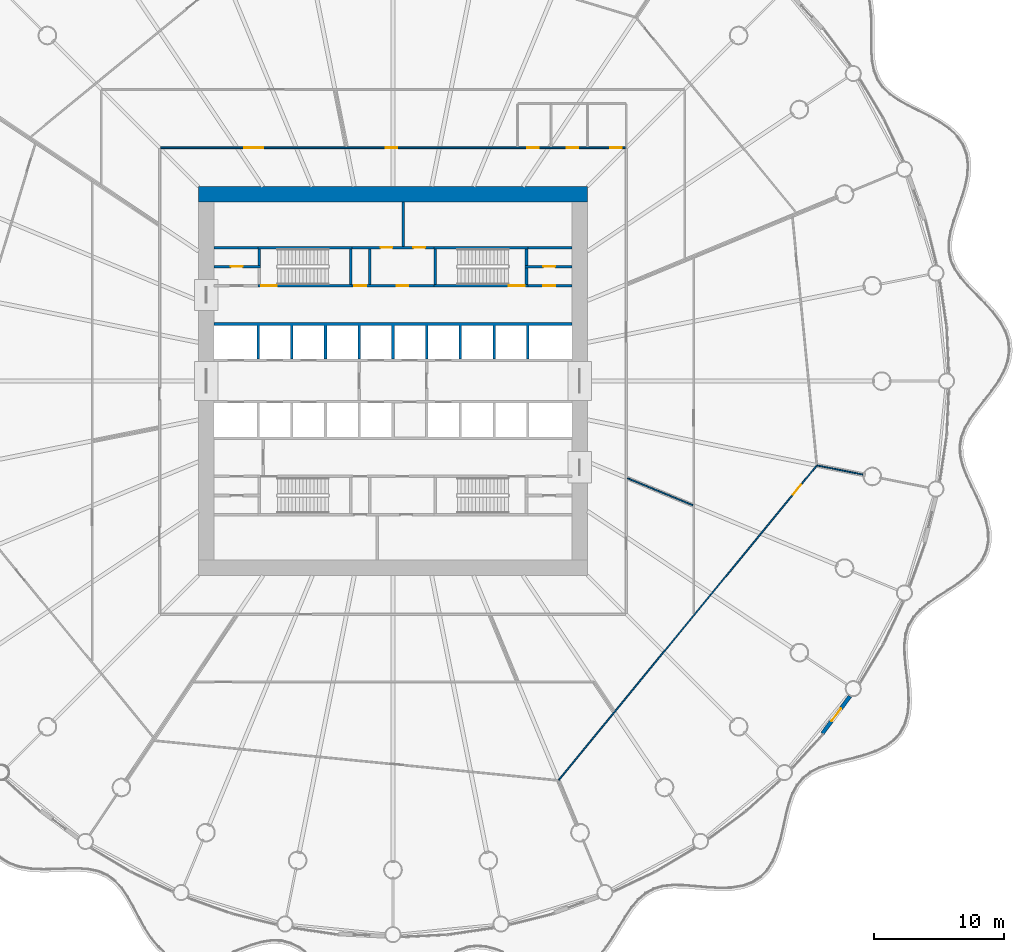
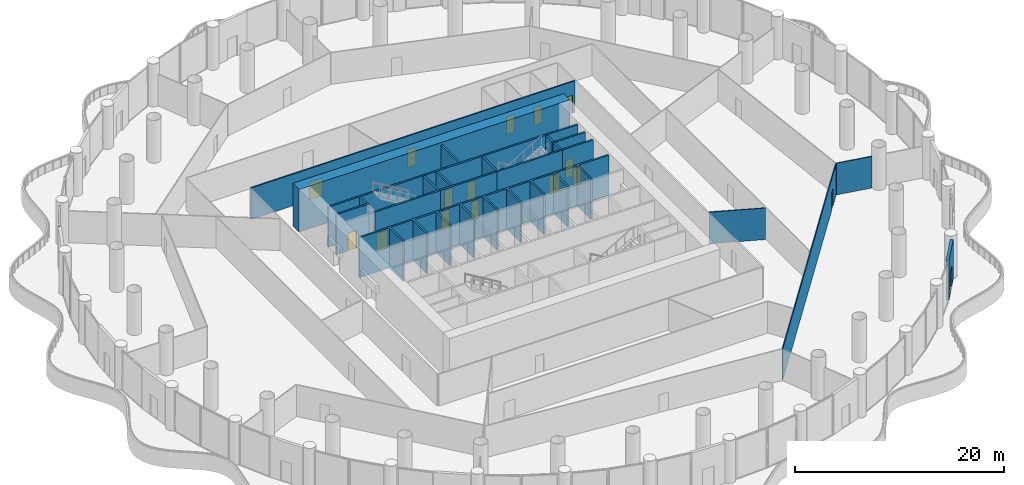
# One storey, part 27 of 38: 25 walls, 16 doors, 16 openings.
"""IFC4 building model written with IfcOpenShell, lengths in metres."""

from ifc_helpers import new_model, si_unit, direction, frame, frame_2d, origin, place, context, subcontext, project, spatial, polyline, rectangle, outline, extrude, material, layer, layer_set, type_object, element, fill, save


model = new_model("IFC4")

# Units and contexts
model_context = context("Model", 3, precision=1e-05, world=origin(), true_north=direction((0.0, 1.0)))
body_context = subcontext(model_context, "Body", "Model", "MODEL_VIEW")
ifc_project = project(units=[si_unit("LENGTHUNIT", "METRE"), si_unit("AREAUNIT", "SQUARE_METRE"), si_unit("VOLUMEUNIT", "CUBIC_METRE"), si_unit("PLANEANGLEUNIT", "RADIAN"), si_unit("MASSUNIT", "GRAM", prefix="KILO")], contexts=[model_context])

# Site, building, storey
site_placement = place(None, origin())
site = spatial("IfcSite", under=ifc_project, at=site_placement, CompositionType="ELEMENT")
building_placement = place(site_placement, origin())
building = spatial("IfcBuilding", under=site, at=building_placement, Name="Corvane Civic Tower", CompositionType="ELEMENT")
storey_placement = place(building_placement, frame((0.0, 0.0, 32.0)))
storey = spatial("IfcBuildingStorey", under=building, at=storey_placement, Name="L06", CompositionType="ELEMENT", Elevation=32.0)

# Wall
ifc_material_1 = material(Name="Concrete C80/95", Category="concrete")
ifc_layer_1 = layer(ifc_material_1, 1.199951171875)
ifc_layer_set_1 = layer_set([ifc_layer_1], Name="Concrete C80/95")
wall_type_1 = type_object("IfcWallType", Name="CORE WALL 1200 C80/95", PredefinedType="SHEAR", material=ifc_layer_set_1)
wall_1_placement = place(storey_placement, frame((-15.0, 14.39990234375, 0.0), z_axis=(0.0, 0.0, 1.0), x_axis=(1.0, 0.0, 0.0)))
element("IfcWall", 1, at=wall_1_placement, inside=storey, type_object=wall_type_1, Name="W-L06-core-N", PredefinedType="SHEAR", context=body_context, shape_type="SweptSolid", body=[
    extrude(rectangle(XDim=30.0, YDim=1.199951171875, at=frame_2d((15.0, 0.0))), origin(), (0.0, 0.0, 1.0), 5.0),
])

# Wall, openings, doors
ifc_material_2 = material(Name="Concrete C30/37", Category="concrete")
ifc_layer_2 = layer(ifc_material_2, 0.199951171875)
ifc_layer_set_2 = layer_set([ifc_layer_2], Name="Concrete C30/37")
wall_type_2 = type_object("IfcWallType", Name="CR-WALL-200", PredefinedType="PARTITIONING", material=ifc_layer_set_2)
wall_2_placement = place(storey_placement, frame((-3.14990234375, 7.35009765625, 0.0), z_axis=(0.0, 0.0, 1.0), x_axis=(1.0, 0.0, 0.0)))
wall_2 = element("IfcWall", 2, at=wall_2_placement, inside=storey, type_object=wall_type_2, Name="L06 core partition wall", PredefinedType="PARTITIONING", context=body_context, shape_type="SweptSolid", body=[
    extrude(rectangle(XDim=6.2998046875, YDim=0.199951171875, at=frame_2d((3.14990234375, 0.0))), origin(), (0.0, 0.0, 1.0), 4.699951171875),
])
opening_1_placement = place(wall_2_placement, frame((0.175048828125, 0.0, 0.0)))
opening_1 = element("IfcOpeningElement", 3, at=opening_1_placement, cuts=wall_2, Name="Opening L06.C02", PredefinedType="OPENING", context=body_context, shape_type="SweptSolid", body=[
    extrude(rectangle(XDim=0.89990234375, YDim=2.10009765625, at=frame_2d((0.449951171875, 1.050048828125))), frame((0.0, 0.10986328125, 0.0), z_axis=(0.0, -1.0, 0.0), x_axis=(1.0, 0.0, 0.0)), (0.0, 0.0, 1.0), 0.219970703125),
])
opening_2_placement = place(wall_2_placement, frame((3.425048828125, 0.0, 0.0)))
opening_2 = element("IfcOpeningElement", 4, at=opening_2_placement, cuts=wall_2, Name="Opening L06.C03", PredefinedType="OPENING", context=body_context, shape_type="SweptSolid", body=[
    extrude(rectangle(XDim=0.89990234375, YDim=2.10009765625, at=frame_2d((0.449951171875, 1.050048828125))), frame((0.0, 0.10986328125, 0.0), z_axis=(0.0, -1.0, 0.0), x_axis=(1.0, 0.0, 0.0)), (0.0, 0.0, 1.0), 0.219970703125),
])
ifc_material_3 = material(Name="Steel fire door leaf", Category="steel")
door_type_1 = type_object("IfcDoorType", Name="CR-DOOR-900", OperationType="SINGLE_SWING_LEFT", PredefinedType="DOOR", material=ifc_material_3)
door_1_placement = place(opening_1_placement, origin())
door_1 = element("IfcDoor", 5, at=door_1_placement, inside=storey, type_object=door_type_1, Name="L06 door", OperationType="SINGLE_SWING_LEFT", OverallHeight=2.10009765625, OverallWidth=0.89990234375, PredefinedType="DOOR", context=body_context, shape_type="SweptSolid", body=[
    extrude(rectangle(XDim=0.89990234375, YDim=2.10009765625, at=frame_2d((0.449951171875, 1.050048828125))), frame((0.0, 0.02490234375, 0.0), z_axis=(0.0, -1.0, 0.0), x_axis=(1.0, 0.0, 0.0)), (0.0, 0.0, 1.0), 0.050048828125),
])
fill(opening_1, door_1)
door_2_placement = place(opening_2_placement, origin())
door_2 = element("IfcDoor", 6, at=door_2_placement, inside=storey, type_object=door_type_1, Name="L06 door", OperationType="SINGLE_SWING_LEFT", OverallHeight=2.10009765625, OverallWidth=0.89990234375, PredefinedType="DOOR", context=body_context, shape_type="SweptSolid", body=[
    extrude(rectangle(XDim=0.89990234375, YDim=2.10009765625, at=frame_2d((0.449951171875, 1.050048828125))), frame((0.0, 0.02490234375, 0.0), z_axis=(0.0, -1.0, 0.0), x_axis=(1.0, 0.0, 0.0)), (0.0, 0.0, 1.0), 0.050048828125),
])
fill(opening_2, door_2)

# Wall, opening, door
wall_3_placement = place(storey_placement, frame((10.39990234375, 7.35009765625, 0.0), z_axis=(0.0, 0.0, 1.0), x_axis=(1.0, 0.0, 0.0)))
wall_3 = element("IfcWall", 7, at=wall_3_placement, inside=storey, type_object=wall_type_2, Name="L06 core partition wall", PredefinedType="PARTITIONING", context=body_context, shape_type="SweptSolid", body=[
    extrude(rectangle(XDim=3.400146484375, YDim=0.199951171875, at=frame_2d((1.7001953125, 0.0))), origin(), (0.0, 0.0, 1.0), 4.699951171875),
])
opening_3_placement = place(wall_3_placement, frame((1.199951171875, 0.0, 0.0)))
opening_3 = element("IfcOpeningElement", 8, at=opening_3_placement, cuts=wall_3, Name="Opening L06.C14", PredefinedType="OPENING", context=body_context, shape_type="SweptSolid", body=[
    extrude(rectangle(XDim=0.89990234375, YDim=2.10009765625, at=frame_2d((0.449951171875, 1.050048828125))), frame((0.0, 0.10986328125, 0.0), z_axis=(0.0, -1.0, 0.0), x_axis=(1.0, 0.0, 0.0)), (0.0, 0.0, 1.0), 0.219970703125),
])
door_3_placement = place(opening_3_placement, origin())
door_3 = element("IfcDoor", 9, at=door_3_placement, inside=storey, type_object=door_type_1, Name="L06 door", OperationType="SINGLE_SWING_LEFT", OverallHeight=2.10009765625, OverallWidth=0.89990234375, PredefinedType="DOOR", context=body_context, shape_type="SweptSolid", body=[
    extrude(rectangle(XDim=0.89990234375, YDim=2.10009765625, at=frame_2d((0.449951171875, 1.050048828125))), frame((0.0, 0.02490234375, 0.0), z_axis=(0.0, -1.0, 0.0), x_axis=(1.0, 0.0, 0.0)), (0.0, 0.0, 1.0), 0.050048828125),
])
fill(opening_3, door_3)

wall_4_placement = place(storey_placement, frame((-13.800048828125, 8.824951171875, 0.0), z_axis=(0.0, 0.0, 1.0), x_axis=(1.0, 0.0, 0.0)))
wall_4 = element("IfcWall", 10, at=wall_4_placement, inside=storey, type_object=wall_type_2, Name="L06 partition wall", PredefinedType="PARTITIONING", context=body_context, shape_type="SweptSolid", body=[
    extrude(rectangle(XDim=3.60009765625, YDim=0.199951171875, at=frame_2d((1.800048828125, 0.0))), origin(), (0.0, 0.0, 1.0), 4.699951171875),
])
opening_4_placement = place(wall_4_placement, frame((1.300048828125, 0.0, 0.0)))
opening_4 = element("IfcOpeningElement", 11, at=opening_4_placement, cuts=wall_4, Name="Opening L06.C11", PredefinedType="OPENING", context=body_context, shape_type="SweptSolid", body=[
    extrude(rectangle(XDim=0.89990234375, YDim=2.10009765625, at=frame_2d((0.449951171875, 1.050048828125))), frame((0.0, 0.10986328125, 0.0), z_axis=(0.0, -1.0, 0.0), x_axis=(1.0, 0.0, 0.0)), (0.0, 0.0, 1.0), 0.219970703125),
])
door_4_placement = place(opening_4_placement, origin())
door_4 = element("IfcDoor", 12, at=door_4_placement, inside=storey, type_object=door_type_1, Name="L06 door", OperationType="SINGLE_SWING_LEFT", OverallHeight=2.10009765625, OverallWidth=0.89990234375, PredefinedType="DOOR", context=body_context, shape_type="SweptSolid", body=[
    extrude(rectangle(XDim=0.89990234375, YDim=2.10009765625, at=frame_2d((0.449951171875, 1.050048828125))), frame((0.0, 0.02490234375, 0.0), z_axis=(0.0, -1.0, 0.0), x_axis=(1.0, 0.0, 0.0)), (0.0, 0.0, 1.0), 0.050048828125),
])
fill(opening_4, door_4)

wall_5_placement = place(storey_placement, frame((10.199951171875, 8.824951171875, 0.0), z_axis=(0.0, 0.0, 1.0), x_axis=(1.0, 0.0, 0.0)))
wall_5 = element("IfcWall", 13, at=wall_5_placement, inside=storey, type_object=wall_type_2, Name="L06 partition wall", PredefinedType="PARTITIONING", context=body_context, shape_type="SweptSolid", body=[
    extrude(rectangle(XDim=3.60009765625, YDim=0.199951171875, at=frame_2d((1.800048828125, 0.0))), origin(), (0.0, 0.0, 1.0), 4.699951171875),
])
opening_5_placement = place(wall_5_placement, frame((1.39990234375, 0.0, 0.0)))
opening_5 = element("IfcOpeningElement", 14, at=opening_5_placement, cuts=wall_5, Name="Opening L06.C15", PredefinedType="OPENING", context=body_context, shape_type="SweptSolid", body=[
    extrude(rectangle(XDim=0.89990234375, YDim=2.10009765625, at=frame_2d((0.449951171875, 1.050048828125))), frame((0.0, 0.10986328125, 0.0), z_axis=(0.0, -1.0, 0.0), x_axis=(1.0, 0.0, 0.0)), (0.0, 0.0, 1.0), 0.219970703125),
])
door_5_placement = place(opening_5_placement, origin())
door_5 = element("IfcDoor", 15, at=door_5_placement, inside=storey, type_object=door_type_1, Name="L06 door", OperationType="SINGLE_SWING_LEFT", OverallHeight=2.10009765625, OverallWidth=0.89990234375, PredefinedType="DOOR", context=body_context, shape_type="SweptSolid", body=[
    extrude(rectangle(XDim=0.89990234375, YDim=2.10009765625, at=frame_2d((0.449951171875, 1.050048828125))), frame((0.0, 0.02490234375, 0.0), z_axis=(0.0, -1.0, 0.0), x_axis=(1.0, 0.0, 0.0)), (0.0, 0.0, 1.0), 0.050048828125),
])
fill(opening_5, door_5)

# Wall, openings, doors
wall_6_placement = place(storey_placement, frame((-3.14990234375, 10.300048828125, 0.0), z_axis=(0.0, 0.0, 1.0), x_axis=(1.0, 0.0, 0.0)))
wall_6 = element("IfcWall", 16, at=wall_6_placement, inside=storey, type_object=wall_type_2, Name="L06 partition wall", PredefinedType="PARTITIONING", context=body_context, shape_type="SweptSolid", body=[
    extrude(rectangle(XDim=6.2998046875, YDim=0.199951171875, at=frame_2d((3.14990234375, 0.0))), origin(), (0.0, 0.0, 1.0), 4.699951171875),
])
opening_6_placement = place(wall_6_placement, frame((2.199951171875, 0.0, 0.0)))
opening_6 = element("IfcOpeningElement", 17, at=opening_6_placement, cuts=wall_6, Name="Opening L06.C06", PredefinedType="OPENING", context=body_context, shape_type="SweptSolid", body=[
    extrude(rectangle(XDim=0.89990234375, YDim=2.10009765625, at=frame_2d((0.449951171875, 1.050048828125))), frame((0.0, 0.10986328125, 0.0), z_axis=(0.0, -1.0, 0.0), x_axis=(1.0, 0.0, 0.0)), (0.0, 0.0, 1.0), 0.219970703125),
])
opening_7_placement = place(wall_6_placement, frame((4.72509765625, 0.0, 0.0)))
opening_7 = element("IfcOpeningElement", 18, at=opening_7_placement, cuts=wall_6, Name="Opening L06.C07", PredefinedType="OPENING", context=body_context, shape_type="SweptSolid", body=[
    extrude(rectangle(XDim=0.89990234375, YDim=2.10009765625, at=frame_2d((0.449951171875, 1.050048828125))), frame((0.0, 0.10986328125, 0.0), z_axis=(0.0, -1.0, 0.0), x_axis=(1.0, 0.0, 0.0)), (0.0, 0.0, 1.0), 0.219970703125),
])
door_6_placement = place(opening_6_placement, origin())
door_6 = element("IfcDoor", 19, at=door_6_placement, inside=storey, type_object=door_type_1, Name="L06 door", OperationType="SINGLE_SWING_LEFT", OverallHeight=2.10009765625, OverallWidth=0.89990234375, PredefinedType="DOOR", context=body_context, shape_type="SweptSolid", body=[
    extrude(rectangle(XDim=0.89990234375, YDim=2.10009765625, at=frame_2d((0.449951171875, 1.050048828125))), frame((0.0, 0.02490234375, 0.0), z_axis=(0.0, -1.0, 0.0), x_axis=(1.0, 0.0, 0.0)), (0.0, 0.0, 1.0), 0.050048828125),
])
fill(opening_6, door_6)
door_7_placement = place(opening_7_placement, origin())
door_7 = element("IfcDoor", 20, at=door_7_placement, inside=storey, type_object=door_type_1, Name="L06 door", OperationType="SINGLE_SWING_LEFT", OverallHeight=2.10009765625, OverallWidth=0.89990234375, PredefinedType="DOOR", context=body_context, shape_type="SweptSolid", body=[
    extrude(rectangle(XDim=0.89990234375, YDim=2.10009765625, at=frame_2d((0.449951171875, 1.050048828125))), frame((0.0, 0.02490234375, 0.0), z_axis=(0.0, -1.0, 0.0), x_axis=(1.0, 0.0, 0.0)), (0.0, 0.0, 1.0), 0.050048828125),
])
fill(opening_7, door_7)

# Walls
wall_7_placement = place(storey_placement, origin())
element("IfcWall", 21, at=wall_7_placement, inside=storey, type_object=wall_type_2, Name="L06 core partition wall", PredefinedType="PARTITIONING", context=body_context, shape_type="SweptSolid", body=[
    extrude(outline(polyline([(-13.800048828125, 10.199951171875), (-13.800048828125, 10.39990234375), (-10.39990234375, 10.39990234375), (-10.39990234375, 10.199951171875), (-13.800048828125, 10.199951171875)])), origin(), (0.0, 0.0, 1.0), 4.699951171875),
])
wall_8_placement = place(storey_placement, origin())
element("IfcWall", 22, at=wall_8_placement, inside=storey, type_object=wall_type_2, Name="L06 core partition wall", PredefinedType="PARTITIONING", context=body_context, shape_type="SweptSolid", body=[
    extrude(outline(polyline([(-1.699951171875, 10.199951171875), (-1.699951171875, 7.449951171875), (-1.89990234375, 7.449951171875), (-1.89990234375, 10.199951171875), (-1.699951171875, 10.199951171875)])), origin(), (0.0, 0.0, 1.0), 4.699951171875),
])
wall_9_placement = place(storey_placement, origin())
element("IfcWall", 23, at=wall_9_placement, inside=storey, type_object=wall_type_2, Name="L06 core partition wall", PredefinedType="PARTITIONING", context=body_context, shape_type="SweptSolid", body=[
    extrude(outline(polyline([(-10.300048828125, 1.699951171875), (-10.5, 1.699951171875), (-10.5, 4.300048828125), (-13.800048828125, 4.300048828125), (-13.800048828125, 4.5), (13.800048828125, 4.5), (13.800048828125, 4.300048828125), (10.5, 4.300048828125), (10.5, 1.699951171875), (10.300048828125, 1.699951171875), (10.300048828125, 4.300048828125), (7.89990234375, 4.300048828125), (7.89990234375, 1.699951171875), (7.699951171875, 1.699951171875), (7.699951171875, 4.300048828125), (5.300048828125, 4.300048828125), (5.300048828125, 1.699951171875), (5.10009765625, 1.699951171875), (5.10009765625, 4.300048828125), (2.699951171875, 4.300048828125), (2.699951171875, 1.699951171875), (2.5, 1.699951171875), (2.5, 4.300048828125), (0.10009765625, 4.300048828125), (0.10009765625, 1.699951171875), (-0.10009765625, 1.699951171875), (-0.10009765625, 4.300048828125), (-2.5, 4.300048828125), (-2.5, 1.699951171875), (-2.699951171875, 1.699951171875), (-2.699951171875, 4.300048828125), (-5.10009765625, 4.300048828125), (-5.10009765625, 1.699951171875), (-5.300048828125, 1.699951171875), (-5.300048828125, 4.300048828125), (-7.699951171875, 4.300048828125), (-7.699951171875, 1.699951171875), (-7.89990234375, 1.699951171875), (-7.89990234375, 4.300048828125), (-10.300048828125, 4.300048828125), (-10.300048828125, 1.699951171875)])), origin(), (0.0, 0.0, 1.0), 4.699951171875),
])
wall_10_placement = place(storey_placement, origin())
element("IfcWall", 24, at=wall_10_placement, inside=storey, type_object=wall_type_2, Name="L06 core partition wall", PredefinedType="PARTITIONING", context=body_context, shape_type="SweptSolid", body=[
    extrude(outline(polyline([(0.89990234375, 13.800048828125), (0.89990234375, 10.39990234375), (0.699951171875, 10.39990234375), (0.699951171875, 13.800048828125), (0.89990234375, 13.800048828125)])), origin(), (0.0, 0.0, 1.0), 4.699951171875),
])
wall_11_placement = place(storey_placement, origin())
element("IfcWall", 25, at=wall_11_placement, inside=storey, type_object=wall_type_2, Name="L06 core partition wall", PredefinedType="PARTITIONING", context=body_context, shape_type="SweptSolid", body=[
    extrude(outline(polyline([(10.39990234375, 10.199951171875), (10.39990234375, 10.39990234375), (13.800048828125, 10.39990234375), (13.800048828125, 10.199951171875), (10.39990234375, 10.199951171875)])), origin(), (0.0, 0.0, 1.0), 4.699951171875),
])

# Wall, opening, door
ifc_material_4 = material(Name="Terracotta cladding", Category="masonry")
ifc_layer_3 = layer(ifc_material_4, 0.300048828125)
ifc_layer_set_3 = layer_set([ifc_layer_3], Name="Terracotta cladding")
wall_type_3 = type_object("IfcWallType", Name="PODIUM-W-DRUMDOOR-300", PredefinedType="SOLIDWALL", material=ifc_layer_set_3)
wall_12_placement = place(storey_placement, frame((35.25146484375, -24.314208984375, 0.0), z_axis=(0.0, 0.0, 1.0), x_axis=(-0.595722774963, -0.803190124061, 0.0)))
wall_12 = element("IfcWall", 26, at=wall_12_placement, inside=storey, type_object=wall_type_3, Name="L06 drum door bay wall 12", PredefinedType="SOLIDWALL", context=body_context, shape_type="SweptSolid", body=[
    extrude(rectangle(XDim=3.559814453125, YDim=0.300048828125, at=frame_2d((1.77978515625, 0.0))), origin(), (0.0, 0.0, 1.0), 4.699951171875),
])
opening_8_placement = place(wall_12_placement, frame((1.179931640625, 0.0, 0.0)))
opening_8 = element("IfcOpeningElement", 27, at=opening_8_placement, cuts=wall_12, Name="Opening ED-L06-12", PredefinedType="OPENING", context=body_context, shape_type="SweptSolid", body=[
    extrude(rectangle(XDim=1.199951171875, YDim=2.39990234375, at=frame_2d((0.60009765625, 1.199951171875))), frame((0.0, 0.159912109375, 0.0), z_axis=(0.0, -1.0, 0.0), x_axis=(1.0, 0.0, 0.0)), (0.0, 0.0, 1.0), 0.320068359375),
])
ifc_material_5 = material(Name="Anodised aluminium and glass", Category="aluminium")
door_type_2 = type_object("IfcDoorType", Name="PODIUM-D-BALCONY-1200", OperationType="SINGLE_SWING_LEFT", PredefinedType="DOOR", material=ifc_material_5)
door_8_placement = place(opening_8_placement, origin())
door_8 = element("IfcDoor", 28, at=door_8_placement, inside=storey, type_object=door_type_2, Name="L06 balcony door 12", OperationType="SINGLE_SWING_RIGHT", OverallHeight=2.39990234375, OverallWidth=1.199951171875, PredefinedType="DOOR", context=body_context, shape_type="SweptSolid", body=[
    extrude(rectangle(XDim=1.199951171875, YDim=2.39990234375, at=frame_2d((0.60009765625, 1.199951171875))), frame((0.0, 0.02490234375, 0.0), z_axis=(0.0, -1.0, 0.0), x_axis=(1.0, 0.0, 0.0)), (0.0, 0.0, 1.0), 0.050048828125),
])
fill(opening_8, door_8)

ifc_material_6 = material(Name="Plasterboard")
ifc_layer_4 = layer(ifc_material_6, 0.10009765625)
ifc_layer_set_4 = layer_set([ifc_layer_4], Name="Plasterboard")
wall_type_4 = type_object("IfcWallType", Name="Partition 100 plasterboard on studs", PredefinedType="PARTITIONING", material=ifc_layer_set_4)
wall_13_placement = place(storey_placement, frame((12.777099609375, -30.777587890625, 0.0), z_axis=(0.0, 0.0, 1.0), x_axis=(0.634393171195, 0.773010546074, 0.0)))
wall_13 = element("IfcWall", 29, at=wall_13_placement, inside=storey, type_object=wall_type_4, Name="Partition L06.005", PredefinedType="PARTITIONING", context=body_context, shape_type="SweptSolid", body=[
    extrude(rectangle(XDim=31.37158203125, YDim=0.10009765625, at=frame_2d((15.685791015625, 0.0))), origin(), (0.0, 0.0, 1.0), 3.699951171875),
])
opening_9_placement = place(wall_13_placement, frame((28.469970703125, 0.0, 0.0)))
opening_9 = element("IfcOpeningElement", 30, at=opening_9_placement, cuts=wall_13, Name="Opening L06.017", PredefinedType="OPENING", context=body_context, shape_type="SweptSolid", body=[
    extrude(rectangle(XDim=1.0, YDim=2.10009765625, at=frame_2d((0.5, 1.050048828125))), frame((0.0, 0.06005859375, 0.0), z_axis=(0.0, -1.0, 0.0), x_axis=(1.0, 0.0, 0.0)), (0.0, 0.0, 1.0), 0.1201171875),
])
ifc_material_7 = material(Name="Timber", Category="wood")
door_type_3 = type_object("IfcDoorType", Name="Single door 1000", OperationType="NOTDEFINED", PredefinedType="DOOR", material=ifc_material_7)
door_9_placement = place(opening_9_placement, frame((1.0, 0.0, 0.0), z_axis=(0.0, 0.0, 1.0), x_axis=(-1.0, 0.0, 0.0)))
door_9 = element("IfcDoor", 31, at=door_9_placement, inside=storey, type_object=door_type_3, Name="Door L06.017", OperationType="SINGLE_SWING_LEFT", OverallHeight=2.10009765625, OverallWidth=1.0, PredefinedType="DOOR", context=body_context, shape_type="SweptSolid", body=[
    extrude(rectangle(XDim=1.0, YDim=2.10009765625, at=frame_2d((0.5, 1.050048828125))), frame((0.0, 0.02490234375, 0.0), z_axis=(0.0, -1.0, 0.0), x_axis=(1.0, 0.0, 0.0)), (0.0, 0.0, 1.0), 0.050048828125),
])
fill(opening_9, door_9)

# Walls
wall_14_placement = place(storey_placement, frame((18.093994140625, -7.494873046875, 0.0), z_axis=(0.0, 0.0, 1.0), x_axis=(0.923889665196, -0.382658968984, 0.0)))
element("IfcWall", 32, at=wall_14_placement, inside=storey, type_object=wall_type_4, Name="Partition L06.018", PredefinedType="PARTITIONING", context=body_context, shape_type="SweptSolid", body=[
    extrude(rectangle(XDim=5.451904296875, YDim=0.10009765625, at=frame_2d((2.72607421875, 0.0))), origin(), (0.0, 0.0, 1.0), 3.699951171875),
])
wall_15_placement = place(storey_placement, frame((32.734375, -6.51123046875, 0.0), z_axis=(0.0, 0.0, 1.0), x_axis=(0.980787963133, -0.19507683454, 0.0)))
element("IfcWall", 33, at=wall_15_placement, inside=storey, type_object=wall_type_4, Name="Partition L06.020", PredefinedType="PARTITIONING", context=body_context, shape_type="SweptSolid", body=[
    extrude(rectangle(XDim=3.6142578125, YDim=0.10009765625, at=frame_2d((1.80712890625, 0.0))), origin(), (0.0, 0.0, 1.0), 3.699951171875),
])

# Wall, opening, door
ifc_material_8 = material(Name="Concrete C50/60", Category="concrete")
ifc_layer_5 = layer(ifc_material_8, 0.199951171875)
ifc_layer_set_5 = layer_set([ifc_layer_5], Name="Concrete C50/60")
wall_type_5 = type_object("IfcWallType", Name="ST-WALL-200", PredefinedType="SHEAR", material=ifc_layer_set_5)
wall_16_placement = place(storey_placement, frame((-10.39990234375, 7.35009765625, 0.0), z_axis=(0.0, 0.0, 1.0), x_axis=(1.0, 0.0, 0.0)))
wall_16 = element("IfcWall", 34, at=wall_16_placement, inside=storey, type_object=wall_type_5, Name="L06 stair enclosure wall", PredefinedType="SHEAR", context=body_context, shape_type="SweptSolid", body=[
    extrude(rectangle(XDim=7.25, YDim=0.199951171875, at=frame_2d((3.625, 0.0))), origin(), (0.0, 0.0, 1.0), 4.699951171875),
])
opening_10_placement = place(wall_16_placement, frame((0.25, 0.0, 0.0)))
opening_10 = element("IfcOpeningElement", 35, at=opening_10_placement, cuts=wall_16, Name="Opening L06.C19", PredefinedType="OPENING", context=body_context, shape_type="SweptSolid", body=[
    extrude(rectangle(XDim=1.199951171875, YDim=2.10009765625, at=frame_2d((0.60009765625, 1.050048828125))), frame((0.0, 0.10986328125, 0.0), z_axis=(0.0, -1.0, 0.0), x_axis=(1.0, 0.0, 0.0)), (0.0, 0.0, 1.0), 0.219970703125),
])
ifc_material_9 = material(Name="Steel fire door leaf", Category="steel")
door_type_4 = type_object("IfcDoorType", Name="ST-DOOR-1200", OperationType="SINGLE_SWING_RIGHT", PredefinedType="DOOR", material=ifc_material_9)
door_10_placement = place(opening_10_placement, origin())
door_10 = element("IfcDoor", 36, at=door_10_placement, inside=storey, type_object=door_type_4, Name="L06 stair door", OperationType="SINGLE_SWING_RIGHT", OverallHeight=2.10009765625, OverallWidth=1.199951171875, PredefinedType="DOOR", context=body_context, shape_type="SweptSolid", body=[
    extrude(rectangle(XDim=1.199951171875, YDim=2.10009765625, at=frame_2d((0.60009765625, 1.050048828125))), frame((0.0, 0.02490234375, 0.0), z_axis=(0.0, -1.0, 0.0), x_axis=(1.0, 0.0, 0.0)), (0.0, 0.0, 1.0), 0.050048828125),
])
fill(opening_10, door_10)

wall_17_placement = place(storey_placement, frame((3.14990234375, 7.35009765625, 0.0), z_axis=(0.0, 0.0, 1.0), x_axis=(1.0, 0.0, 0.0)))
wall_17 = element("IfcWall", 37, at=wall_17_placement, inside=storey, type_object=wall_type_5, Name="L06 stair enclosure wall", PredefinedType="SHEAR", context=body_context, shape_type="SweptSolid", body=[
    extrude(rectangle(XDim=7.25, YDim=0.199951171875, at=frame_2d((3.625, 0.0))), origin(), (0.0, 0.0, 1.0), 4.699951171875),
])
opening_11_placement = place(wall_17_placement, frame((5.800048828125, 0.0, 0.0)))
opening_11 = element("IfcOpeningElement", 38, at=opening_11_placement, cuts=wall_17, Name="Opening L06.C18", PredefinedType="OPENING", context=body_context, shape_type="SweptSolid", body=[
    extrude(rectangle(XDim=1.199951171875, YDim=2.10009765625, at=frame_2d((0.60009765625, 1.050048828125))), frame((0.0, 0.10986328125, 0.0), z_axis=(0.0, -1.0, 0.0), x_axis=(1.0, 0.0, 0.0)), (0.0, 0.0, 1.0), 0.219970703125),
])
door_11_placement = place(opening_11_placement, origin())
door_11 = element("IfcDoor", 39, at=door_11_placement, inside=storey, type_object=door_type_4, Name="L06 stair door", OperationType="SINGLE_SWING_RIGHT", OverallHeight=2.10009765625, OverallWidth=1.199951171875, PredefinedType="DOOR", context=body_context, shape_type="SweptSolid", body=[
    extrude(rectangle(XDim=1.199951171875, YDim=2.10009765625, at=frame_2d((0.60009765625, 1.050048828125))), frame((0.0, 0.02490234375, 0.0), z_axis=(0.0, -1.0, 0.0), x_axis=(1.0, 0.0, 0.0)), (0.0, 0.0, 1.0), 0.050048828125),
])
fill(opening_11, door_11)

# Walls
wall_18_placement = place(storey_placement, origin())
element("IfcWall", 40, at=wall_18_placement, inside=storey, type_object=wall_type_5, Name="L06 stair enclosure wall", PredefinedType="SHEAR", context=body_context, shape_type="SweptSolid", body=[
    extrude(outline(polyline([(-3.14990234375, 10.199951171875), (-10.39990234375, 10.199951171875), (-10.39990234375, 10.39990234375), (-3.14990234375, 10.39990234375), (-3.14990234375, 10.199951171875)])), origin(), (0.0, 0.0, 1.0), 4.699951171875),
])
wall_19_placement = place(storey_placement, origin())
element("IfcWall", 41, at=wall_19_placement, inside=storey, type_object=wall_type_5, Name="L06 stair enclosure wall", PredefinedType="SHEAR", context=body_context, shape_type="SweptSolid", body=[
    extrude(outline(polyline([(10.39990234375, 10.199951171875), (3.14990234375, 10.199951171875), (3.14990234375, 10.39990234375), (10.39990234375, 10.39990234375), (10.39990234375, 10.199951171875)])), origin(), (0.0, 0.0, 1.0), 4.699951171875),
])
wall_20_placement = place(storey_placement, origin())
element("IfcWall", 42, at=wall_20_placement, inside=storey, type_object=wall_type_5, Name="L06 stair enclosure wall", PredefinedType="SHEAR", context=body_context, shape_type="SweptSolid", body=[
    extrude(outline(polyline([(-3.14990234375, 7.449951171875), (-3.35009765625, 7.449951171875), (-3.35009765625, 10.199951171875), (-3.14990234375, 10.199951171875), (-3.14990234375, 7.449951171875)])), origin(), (0.0, 0.0, 1.0), 4.699951171875),
])
wall_21_placement = place(storey_placement, origin())
element("IfcWall", 43, at=wall_21_placement, inside=storey, type_object=wall_type_5, Name="L06 stair enclosure wall", PredefinedType="SHEAR", context=body_context, shape_type="SweptSolid", body=[
    extrude(outline(polyline([(3.35009765625, 7.449951171875), (3.14990234375, 7.449951171875), (3.14990234375, 10.199951171875), (3.35009765625, 10.199951171875), (3.35009765625, 7.449951171875)])), origin(), (0.0, 0.0, 1.0), 4.699951171875),
])
wall_22_placement = place(storey_placement, origin())
element("IfcWall", 44, at=wall_22_placement, inside=storey, type_object=wall_type_5, Name="L06 stair enclosure wall", PredefinedType="SHEAR", context=body_context, shape_type="SweptSolid", body=[
    extrude(outline(polyline([(10.39990234375, 8.72509765625), (10.39990234375, 7.449951171875), (10.199951171875, 7.449951171875), (10.199951171875, 8.72509765625), (10.39990234375, 8.72509765625)])), origin(), (0.0, 0.0, 1.0), 4.699951171875),
])
wall_23_placement = place(storey_placement, origin())
element("IfcWall", 45, at=wall_23_placement, inside=storey, type_object=wall_type_5, Name="L06 stair enclosure wall", PredefinedType="SHEAR", context=body_context, shape_type="SweptSolid", body=[
    extrude(outline(polyline([(-10.199951171875, 8.925048828125), (-10.39990234375, 8.925048828125), (-10.39990234375, 10.199951171875), (-10.199951171875, 10.199951171875), (-10.199951171875, 8.925048828125)])), origin(), (0.0, 0.0, 1.0), 4.699951171875),
])
wall_24_placement = place(storey_placement, origin())
element("IfcWall", 46, at=wall_24_placement, inside=storey, type_object=wall_type_5, Name="L06 stair enclosure wall", PredefinedType="SHEAR", context=body_context, shape_type="SweptSolid", body=[
    extrude(outline(polyline([(10.39990234375, 8.925048828125), (10.199951171875, 8.925048828125), (10.199951171875, 10.199951171875), (10.39990234375, 10.199951171875), (10.39990234375, 8.925048828125)])), origin(), (0.0, 0.0, 1.0), 4.699951171875),
])

# Wall, openings, doors
ifc_material_10 = material(Name="Plasterboard")
ifc_layer_6 = layer(ifc_material_10, 0.14990234375)
ifc_layer_set_6 = layer_set([ifc_layer_6], Name="Plasterboard")
wall_type_6 = type_object("IfcWallType", Name="Tenancy wall 150 EI 60", PredefinedType="PARTITIONING", material=ifc_layer_set_6)
wall_25_placement = place(storey_placement, frame((-17.925048828125, 18.0, 0.0), z_axis=(0.0, 0.0, 1.0), x_axis=(1.0, 0.0, 0.0)))
wall_25 = element("IfcWall", 47, at=wall_25_placement, inside=storey, type_object=wall_type_6, Name="Partition L06.032", PredefinedType="PARTITIONING", context=body_context, shape_type="SweptSolid", body=[
    extrude(rectangle(XDim=35.85009765625, YDim=0.14990234375, at=frame_2d((17.925048828125, 0.0))), origin(), (0.0, 0.0, 1.0), 3.699951171875),
])
opening_12_placement = place(wall_25_placement, frame((6.439208984375, 0.0, 0.0)))
opening_12 = element("IfcOpeningElement", 48, at=opening_12_placement, cuts=wall_25, Name="Opening L06.011", PredefinedType="OPENING", context=body_context, shape_type="SweptSolid", body=[
    extrude(rectangle(XDim=1.5, YDim=2.10009765625, at=frame_2d((0.75, 1.050048828125))), frame((0.0, 0.0849609375, 0.0), z_axis=(0.0, -1.0, 0.0), x_axis=(1.0, 0.0, 0.0)), (0.0, 0.0, 1.0), 0.169921875),
])
opening_13_placement = place(wall_25_placement, frame((17.3603515625, 0.0, 0.0)))
opening_13 = element("IfcOpeningElement", 49, at=opening_13_placement, cuts=wall_25, Name="Opening L06.012", PredefinedType="OPENING", context=body_context, shape_type="SweptSolid", body=[
    extrude(rectangle(XDim=0.89990234375, YDim=2.10009765625, at=frame_2d((0.449951171875, 1.050048828125))), frame((0.0, 0.0849609375, 0.0), z_axis=(0.0, -1.0, 0.0), x_axis=(1.0, 0.0, 0.0)), (0.0, 0.0, 1.0), 0.169921875),
])
opening_14_placement = place(wall_25_placement, frame((34.66748046875, 0.0, 0.0)))
opening_14 = element("IfcOpeningElement", 50, at=opening_14_placement, cuts=wall_25, Name="Opening L06.013", PredefinedType="OPENING", context=body_context, shape_type="SweptSolid", body=[
    extrude(rectangle(XDim=0.89990234375, YDim=2.10009765625, at=frame_2d((0.449951171875, 1.050048828125))), frame((0.0, 0.0849609375, 0.0), z_axis=(0.0, -1.0, 0.0), x_axis=(1.0, 0.0, 0.0)), (0.0, 0.0, 1.0), 0.169921875),
])
opening_15_placement = place(wall_25_placement, frame((31.3271484375, 0.0, 0.0)))
opening_15 = element("IfcOpeningElement", 51, at=opening_15_placement, cuts=wall_25, Name="Opening L06.014", PredefinedType="OPENING", context=body_context, shape_type="SweptSolid", body=[
    extrude(rectangle(XDim=0.89990234375, YDim=2.10009765625, at=frame_2d((0.449951171875, 1.050048828125))), frame((0.0, 0.0849609375, 0.0), z_axis=(0.0, -1.0, 0.0), x_axis=(1.0, 0.0, 0.0)), (0.0, 0.0, 1.0), 0.169921875),
])
opening_16_placement = place(wall_25_placement, frame((28.285400390625, 0.0, 0.0)))
opening_16 = element("IfcOpeningElement", 52, at=opening_16_placement, cuts=wall_25, Name="Opening L06.015", PredefinedType="OPENING", context=body_context, shape_type="SweptSolid", body=[
    extrude(rectangle(XDim=0.89990234375, YDim=2.10009765625, at=frame_2d((0.449951171875, 1.050048828125))), frame((0.0, 0.0849609375, 0.0), z_axis=(0.0, -1.0, 0.0), x_axis=(1.0, 0.0, 0.0)), (0.0, 0.0, 1.0), 0.169921875),
])
ifc_material_11 = material(Name="Steel and timber", Category="steel")
door_type_5 = type_object("IfcDoorType", Name="Fire door FD30S 900", OperationType="NOTDEFINED", PredefinedType="DOOR", material=ifc_material_11)
door_12_placement = place(opening_13_placement, origin())
door_12 = element("IfcDoor", 53, at=door_12_placement, inside=storey, type_object=door_type_5, Name="Door L06.012", OperationType="SINGLE_SWING_LEFT", OverallHeight=2.10009765625, OverallWidth=0.89990234375, PredefinedType="DOOR", context=body_context, shape_type="SweptSolid", body=[
    extrude(rectangle(XDim=0.89990234375, YDim=2.10009765625, at=frame_2d((0.449951171875, 1.050048828125))), frame((0.0, 0.02490234375, 0.0), z_axis=(0.0, -1.0, 0.0), x_axis=(1.0, 0.0, 0.0)), (0.0, 0.0, 1.0), 0.050048828125),
])
fill(opening_13, door_12)
door_13_placement = place(opening_14_placement, origin())
door_13 = element("IfcDoor", 54, at=door_13_placement, inside=storey, type_object=door_type_5, Name="Door L06.013", OperationType="SINGLE_SWING_RIGHT", OverallHeight=2.10009765625, OverallWidth=0.89990234375, PredefinedType="DOOR", context=body_context, shape_type="SweptSolid", body=[
    extrude(rectangle(XDim=0.89990234375, YDim=2.10009765625, at=frame_2d((0.449951171875, 1.050048828125))), frame((0.0, 0.02490234375, 0.0), z_axis=(0.0, -1.0, 0.0), x_axis=(1.0, 0.0, 0.0)), (0.0, 0.0, 1.0), 0.050048828125),
])
fill(opening_14, door_13)
door_14_placement = place(opening_15_placement, origin())
door_14 = element("IfcDoor", 55, at=door_14_placement, inside=storey, type_object=door_type_5, Name="Door L06.014", OperationType="SINGLE_SWING_LEFT", OverallHeight=2.10009765625, OverallWidth=0.89990234375, PredefinedType="DOOR", context=body_context, shape_type="SweptSolid", body=[
    extrude(rectangle(XDim=0.89990234375, YDim=2.10009765625, at=frame_2d((0.449951171875, 1.050048828125))), frame((0.0, 0.02490234375, 0.0), z_axis=(0.0, -1.0, 0.0), x_axis=(1.0, 0.0, 0.0)), (0.0, 0.0, 1.0), 0.050048828125),
])
fill(opening_15, door_14)
door_15_placement = place(opening_16_placement, origin())
door_15 = element("IfcDoor", 56, at=door_15_placement, inside=storey, type_object=door_type_5, Name="Door L06.015", OperationType="SINGLE_SWING_LEFT", OverallHeight=2.10009765625, OverallWidth=0.89990234375, PredefinedType="DOOR", context=body_context, shape_type="SweptSolid", body=[
    extrude(rectangle(XDim=0.89990234375, YDim=2.10009765625, at=frame_2d((0.449951171875, 1.050048828125))), frame((0.0, 0.02490234375, 0.0), z_axis=(0.0, -1.0, 0.0), x_axis=(1.0, 0.0, 0.0)), (0.0, 0.0, 1.0), 0.050048828125),
])
fill(opening_16, door_15)
ifc_material_12 = material(Name="Steel and timber", Category="steel")
door_type_6 = type_object("IfcDoorType", Name="Fire door FD60 double 1500", OperationType="NOTDEFINED", PredefinedType="DOOR", material=ifc_material_12)
door_16_placement = place(opening_12_placement, origin())
door_16 = element("IfcDoor", 57, at=door_16_placement, inside=storey, type_object=door_type_6, Name="Door L06.011", OperationType="DOUBLE_DOOR_SINGLE_SWING", OverallHeight=2.10009765625, OverallWidth=1.5, PredefinedType="DOOR", context=body_context, shape_type="SweptSolid", body=[
    extrude(rectangle(XDim=1.5, YDim=2.10009765625, at=frame_2d((0.75, 1.050048828125))), frame((0.0, 0.02490234375, 0.0), z_axis=(0.0, -1.0, 0.0), x_axis=(1.0, 0.0, 0.0)), (0.0, 0.0, 1.0), 0.050048828125),
])
fill(opening_12, door_16)

save(model, "model.ifc")
